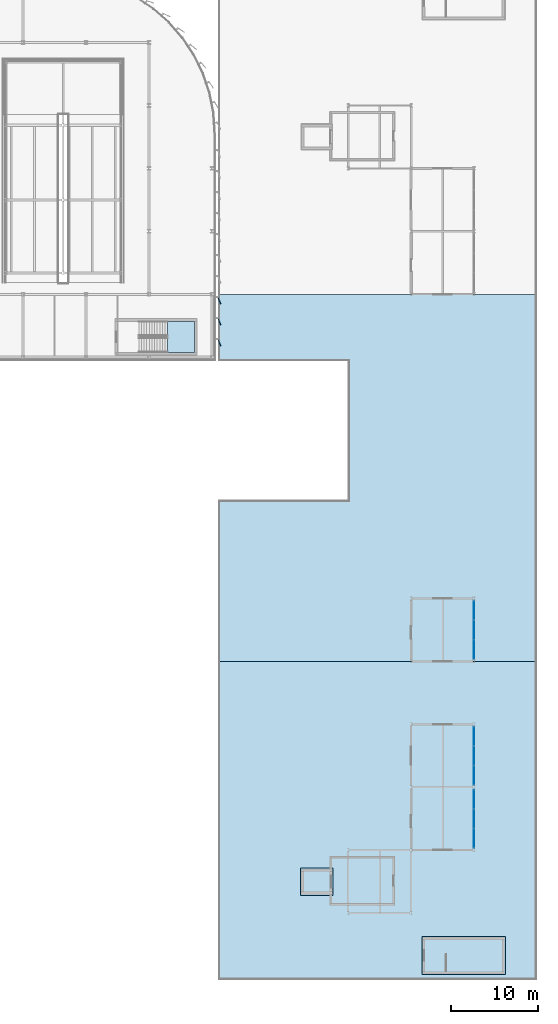
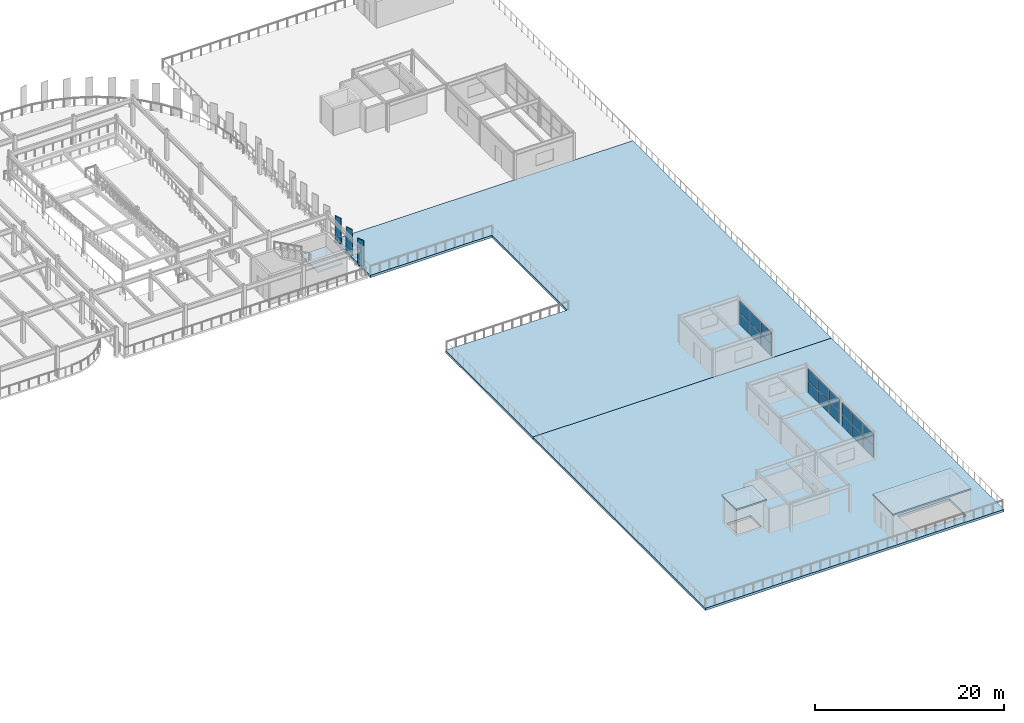
# One storey, part 30 of 52: 21 plates, 5 slabs, 4 elements without a shape of their own.
"""IFC4 building model written with IfcOpenShell, lengths in metres."""

from ifc_helpers import new_model, si_unit, direction, frame, origin, origin_2d, place, context, subcontext, project, spatial, polyline, rectangle, outline, extrude, material, layer, layer_set, type_object, element, aggregate, save


model = new_model("IFC4")

# Units and contexts
model_context = context("Model", 3, precision=1e-05, world=origin(), true_north=direction((0.0, 1.0)))
body_context = subcontext(model_context, "Body", "Model", "MODEL_VIEW")
ifc_project = project(units=[si_unit("LENGTHUNIT", "METRE"), si_unit("AREAUNIT", "SQUARE_METRE"), si_unit("VOLUMEUNIT", "CUBIC_METRE"), si_unit("PLANEANGLEUNIT", "RADIAN"), si_unit("MASSUNIT", "GRAM", prefix="KILO")], contexts=[model_context])

# Site, building, storey
site_placement = place(None, origin())
site = spatial("IfcSite", under=ifc_project, at=site_placement, CompositionType="ELEMENT")
building_placement = place(site_placement, origin())
building = spatial("IfcBuilding", under=site, at=building_placement, Name="Vaelcorin Mobility Hub", CompositionType="ELEMENT")
storey_placement = place(building_placement, frame((0.0, 0.0, 13.199951171875)))
storey = spatial("IfcBuildingStorey", under=building, at=storey_placement, Name="L03", CompositionType="ELEMENT", Elevation=13.199951171875)

# Curtain wall, plates
ifc_material_1 = material(Name="Anodised aluminium 6063-T6", Category="aluminium")
curtain_wall_type = type_object("IfcCurtainWallType", Name="CW-MOB-A", PredefinedType="NOTDEFINED", material=ifc_material_1)
curtain_wall_1_placement = place(storey_placement, origin())
curtain_wall_1 = element("IfcCurtainWall", 1, at=curtain_wall_1_placement, inside=storey, type_object=curtain_wall_type, Name="L03 Curtain Wall CW-L03-GPAVS-E-1", PredefinedType="NOTDEFINED")
ifc_material_2 = material(Name="Low-E solar-control insulated glazing", Category="glass")
ifc_layer_1 = layer(ifc_material_2, 0.028076171875)
ifc_layer_set_1 = layer_set([ifc_layer_1], Name="Low-E solar-control insulated glazing")
plate_type_1 = type_object("IfcPlateType", Name="CW-PAN-GLZ28", PredefinedType="CURTAIN_PANEL", material=ifc_layer_set_1)
plate_1_placement = place(storey_placement, frame((182.39990234375, 26.23828125, 0.06005859375), z_axis=(0.0, 0.0, 1.0), x_axis=(0.0, -1.0, 0.0)))
plate_1 = element("IfcPlate", 2, at=plate_1_placement, type_object=plate_type_1, Name="CW7 panel 1.1", PredefinedType="CURTAIN_PANEL", context=body_context, shape_type="SweptSolid", body=[
    extrude(rectangle(XDim=2.163330078125, YDim=0.028076171875, at=origin_2d()), origin(), (0.0, 0.0, 1.0), 1.5048828125),
])
plate_2_placement = place(storey_placement, frame((182.39990234375, 26.23828125, 1.625), z_axis=(0.0, 0.0, 1.0), x_axis=(0.0, -1.0, 0.0)))
plate_2 = element("IfcPlate", 3, at=plate_2_placement, type_object=plate_type_1, Name="CW7 panel 1.2", PredefinedType="CURTAIN_PANEL", context=body_context, shape_type="SweptSolid", body=[
    extrude(rectangle(XDim=2.163330078125, YDim=0.028076171875, at=origin_2d()), origin(), (0.0, 0.0, 1.0), 1.5048828125),
])
plate_3_placement = place(storey_placement, frame((182.39990234375, 24.0, 0.06005859375), z_axis=(0.0, 0.0, 1.0), x_axis=(0.0, -1.0, 0.0)))
plate_3 = element("IfcPlate", 4, at=plate_3_placement, type_object=plate_type_1, Name="CW7 panel 2.1", PredefinedType="CURTAIN_PANEL", context=body_context, shape_type="SweptSolid", body=[
    extrude(rectangle(XDim=2.193359375, YDim=0.028076171875, at=origin_2d()), origin(), (0.0, 0.0, 1.0), 1.5048828125),
])
plate_4_placement = place(storey_placement, frame((182.39990234375, 24.0, 1.625), z_axis=(0.0, 0.0, 1.0), x_axis=(0.0, -1.0, 0.0)))
plate_4 = element("IfcPlate", 5, at=plate_4_placement, type_object=plate_type_1, Name="CW7 panel 2.2", PredefinedType="CURTAIN_PANEL", context=body_context, shape_type="SweptSolid", body=[
    extrude(rectangle(XDim=2.193359375, YDim=0.028076171875, at=origin_2d()), origin(), (0.0, 0.0, 1.0), 1.5048828125),
])
plate_5_placement = place(storey_placement, frame((182.39990234375, 21.76171875, 0.06005859375), z_axis=(0.0, 0.0, 1.0), x_axis=(0.0, -1.0, 0.0)))
plate_5 = element("IfcPlate", 6, at=plate_5_placement, type_object=plate_type_1, Name="CW7 panel 3.1", PredefinedType="CURTAIN_PANEL", context=body_context, shape_type="SweptSolid", body=[
    extrude(rectangle(XDim=2.163330078125, YDim=0.028076171875, at=origin_2d()), origin(), (0.0, 0.0, 1.0), 1.5048828125),
])
plate_6_placement = place(storey_placement, frame((182.39990234375, 21.76171875, 1.625), z_axis=(0.0, 0.0, 1.0), x_axis=(0.0, -1.0, 0.0)))
plate_6 = element("IfcPlate", 7, at=plate_6_placement, type_object=plate_type_1, Name="CW7 panel 3.2", PredefinedType="CURTAIN_PANEL", context=body_context, shape_type="SweptSolid", body=[
    extrude(rectangle(XDim=2.163330078125, YDim=0.028076171875, at=origin_2d()), origin(), (0.0, 0.0, 1.0), 1.5048828125),
])
aggregate(curtain_wall_1, [plate_1, plate_2, plate_3, plate_4, plate_5, plate_6])

curtain_wall_2_placement = place(storey_placement, origin())
curtain_wall_2 = element("IfcCurtainWall", 8, at=curtain_wall_2_placement, inside=storey, type_object=curtain_wall_type, Name="L03 Curtain Wall CW-L03-GPAVS-E-2", PredefinedType="NOTDEFINED")
plate_7_placement = place(storey_placement, frame((182.39990234375, 33.438232421875, 0.06005859375), z_axis=(0.0, 0.0, 1.0), x_axis=(0.0, -1.0, 0.0)))
plate_7 = element("IfcPlate", 9, at=plate_7_placement, type_object=plate_type_1, Name="CW7 panel 1.1", PredefinedType="CURTAIN_PANEL", context=body_context, shape_type="SweptSolid", body=[
    extrude(rectangle(XDim=2.163330078125, YDim=0.028076171875, at=origin_2d()), origin(), (0.0, 0.0, 1.0), 1.5048828125),
])
plate_8_placement = place(storey_placement, frame((182.39990234375, 33.438232421875, 1.625), z_axis=(0.0, 0.0, 1.0), x_axis=(0.0, -1.0, 0.0)))
plate_8 = element("IfcPlate", 10, at=plate_8_placement, type_object=plate_type_1, Name="CW7 panel 1.2", PredefinedType="CURTAIN_PANEL", context=body_context, shape_type="SweptSolid", body=[
    extrude(rectangle(XDim=2.163330078125, YDim=0.028076171875, at=origin_2d()), origin(), (0.0, 0.0, 1.0), 1.5048828125),
])
plate_9_placement = place(storey_placement, frame((182.39990234375, 31.199951171875, 0.06005859375), z_axis=(0.0, 0.0, 1.0), x_axis=(0.0, -1.0, 0.0)))
plate_9 = element("IfcPlate", 11, at=plate_9_placement, type_object=plate_type_1, Name="CW7 panel 2.1", PredefinedType="CURTAIN_PANEL", context=body_context, shape_type="SweptSolid", body=[
    extrude(rectangle(XDim=2.193359375, YDim=0.028076171875, at=origin_2d()), origin(), (0.0, 0.0, 1.0), 1.5048828125),
])
plate_10_placement = place(storey_placement, frame((182.39990234375, 31.199951171875, 1.625), z_axis=(0.0, 0.0, 1.0), x_axis=(0.0, -1.0, 0.0)))
plate_10 = element("IfcPlate", 12, at=plate_10_placement, type_object=plate_type_1, Name="CW7 panel 2.2", PredefinedType="CURTAIN_PANEL", context=body_context, shape_type="SweptSolid", body=[
    extrude(rectangle(XDim=2.193359375, YDim=0.028076171875, at=origin_2d()), origin(), (0.0, 0.0, 1.0), 1.5048828125),
])
plate_11_placement = place(storey_placement, frame((182.39990234375, 28.961669921875, 0.06005859375), z_axis=(0.0, 0.0, 1.0), x_axis=(0.0, -1.0, 0.0)))
plate_11 = element("IfcPlate", 13, at=plate_11_placement, type_object=plate_type_1, Name="CW7 panel 3.1", PredefinedType="CURTAIN_PANEL", context=body_context, shape_type="SweptSolid", body=[
    extrude(rectangle(XDim=2.163330078125, YDim=0.028076171875, at=origin_2d()), origin(), (0.0, 0.0, 1.0), 1.5048828125),
])
plate_12_placement = place(storey_placement, frame((182.39990234375, 28.961669921875, 1.625), z_axis=(0.0, 0.0, 1.0), x_axis=(0.0, -1.0, 0.0)))
plate_12 = element("IfcPlate", 14, at=plate_12_placement, type_object=plate_type_1, Name="CW7 panel 3.2", PredefinedType="CURTAIN_PANEL", context=body_context, shape_type="SweptSolid", body=[
    extrude(rectangle(XDim=2.163330078125, YDim=0.028076171875, at=origin_2d()), origin(), (0.0, 0.0, 1.0), 1.5048828125),
])
aggregate(curtain_wall_2, [plate_7, plate_8, plate_9, plate_10, plate_11, plate_12])

curtain_wall_3_placement = place(storey_placement, origin())
curtain_wall_3 = element("IfcCurtainWall", 15, at=curtain_wall_3_placement, inside=storey, type_object=curtain_wall_type, Name="L03 Curtain Wall CW-L03-GPAVM-E-1", PredefinedType="NOTDEFINED")
plate_13_placement = place(storey_placement, frame((182.39990234375, 47.83837890625, 0.06005859375), z_axis=(0.0, 0.0, 1.0), x_axis=(0.0, -1.0, 0.0)))
plate_13 = element("IfcPlate", 16, at=plate_13_placement, type_object=plate_type_1, Name="CW7 panel 1.1", PredefinedType="CURTAIN_PANEL", context=body_context, shape_type="SweptSolid", body=[
    extrude(rectangle(XDim=2.163330078125, YDim=0.028076171875, at=origin_2d()), origin(), (0.0, 0.0, 1.0), 1.5048828125),
])
plate_14_placement = place(storey_placement, frame((182.39990234375, 47.83837890625, 1.625), z_axis=(0.0, 0.0, 1.0), x_axis=(0.0, -1.0, 0.0)))
plate_14 = element("IfcPlate", 17, at=plate_14_placement, type_object=plate_type_1, Name="CW7 panel 1.2", PredefinedType="CURTAIN_PANEL", context=body_context, shape_type="SweptSolid", body=[
    extrude(rectangle(XDim=2.163330078125, YDim=0.028076171875, at=origin_2d()), origin(), (0.0, 0.0, 1.0), 1.5048828125),
])
plate_15_placement = place(storey_placement, frame((182.39990234375, 45.60009765625, 0.06005859375), z_axis=(0.0, 0.0, 1.0), x_axis=(0.0, -1.0, 0.0)))
plate_15 = element("IfcPlate", 18, at=plate_15_placement, type_object=plate_type_1, Name="CW7 panel 2.1", PredefinedType="CURTAIN_PANEL", context=body_context, shape_type="SweptSolid", body=[
    extrude(rectangle(XDim=2.193359375, YDim=0.028076171875, at=origin_2d()), origin(), (0.0, 0.0, 1.0), 1.5048828125),
])
plate_16_placement = place(storey_placement, frame((182.39990234375, 45.60009765625, 1.625), z_axis=(0.0, 0.0, 1.0), x_axis=(0.0, -1.0, 0.0)))
plate_16 = element("IfcPlate", 19, at=plate_16_placement, type_object=plate_type_1, Name="CW7 panel 2.2", PredefinedType="CURTAIN_PANEL", context=body_context, shape_type="SweptSolid", body=[
    extrude(rectangle(XDim=2.193359375, YDim=0.028076171875, at=origin_2d()), origin(), (0.0, 0.0, 1.0), 1.5048828125),
])
plate_17_placement = place(storey_placement, frame((182.39990234375, 43.361572265625, 0.06005859375), z_axis=(0.0, 0.0, 1.0), x_axis=(0.0, -1.0, 0.0)))
plate_17 = element("IfcPlate", 20, at=plate_17_placement, type_object=plate_type_1, Name="CW7 panel 3.1", PredefinedType="CURTAIN_PANEL", context=body_context, shape_type="SweptSolid", body=[
    extrude(rectangle(XDim=2.163330078125, YDim=0.028076171875, at=origin_2d()), origin(), (0.0, 0.0, 1.0), 1.5048828125),
])
plate_18_placement = place(storey_placement, frame((182.39990234375, 43.361572265625, 1.625), z_axis=(0.0, 0.0, 1.0), x_axis=(0.0, -1.0, 0.0)))
plate_18 = element("IfcPlate", 21, at=plate_18_placement, type_object=plate_type_1, Name="CW7 panel 3.2", PredefinedType="CURTAIN_PANEL", context=body_context, shape_type="SweptSolid", body=[
    extrude(rectangle(XDim=2.163330078125, YDim=0.028076171875, at=origin_2d()), origin(), (0.0, 0.0, 1.0), 1.5048828125),
])
aggregate(curtain_wall_3, [plate_13, plate_14, plate_15, plate_16, plate_17, plate_18])

# Plates
ifc_material_3 = material(Name="Perforated terracotta-bronze aluminium aerofoil", Category="masonry")
ifc_layer_2 = layer(ifc_material_3, 0.070068359375)
ifc_layer_set_2 = layer_set([ifc_layer_2], Name="Perforated terracotta-bronze aluminium aerofoil")
plate_type_2 = type_object("IfcPlateType", Name="PL-FIN-AF3", PredefinedType="SHEET", material=ifc_layer_set_2)
for number, where, z_axis, x_axis, name in (
    (22, (153.235107421875, 83.301025390625, -0.159912109375), (0.0, 0.0, 1.0), (0.342020143326, -0.939692620786, 0.0), "Rotating Terracotta-Bronze Aerofoil Fin FIN-V2E-L03-E-AF-08"),
    (23, (153.235107421875, 80.90087890625, -0.159912109375), (0.0, 0.0, 1.0), (0.342020143326, -0.939692620786, 0.0), "Rotating Terracotta-Bronze Aerofoil Fin FIN-V2E-L03-E-AF-09"),
    (24, (153.235107421875, 78.5009765625, -0.159912109375), (0.0, 0.0, 1.0), (0.342020143326, -0.939692620786, 0.0), "Rotating Terracotta-Bronze Aerofoil Fin FIN-V2E-L03-E-AF-10"),
):
    element("IfcPlate", number, at=place(storey_placement, frame(where, z_axis=z_axis, x_axis=x_axis)), inside=storey, type_object=plate_type_2, Name=name, PredefinedType="SHEET", context=body_context, shape_type="SweptSolid", body=[
        extrude(rectangle(XDim=0.85009765625, YDim=0.070068359375, at=origin_2d()), origin(), (0.0, 0.0, 1.0), 3.5),
    ])

# Stair, slab
ifc_material_4 = material(Name="Reinforced concrete f'c 45 MPa", Category="concrete")
stair_type = type_object("IfcStairType", Name="STAIR-ST2", PredefinedType="HALF_TURN_STAIR", material=ifc_material_4)
stair_placement = place(storey_placement, origin())
stair = element("IfcStair", 25, at=stair_placement, inside=storey, type_object=stair_type, Name="L03 Protected Exit Stair ST2", PredefinedType="HALF_TURN_STAIR")
ifc_layer_3 = layer(ifc_material_4, 0.199951171875)
ifc_layer_set_3 = layer_set([ifc_layer_3], Name="Reinforced concrete f'c 45 MPa")
slab_type_1 = type_object("IfcSlabType", Name="SLAB-LND-200", PredefinedType="LANDING", material=ifc_layer_set_3)
slab_1_placement = place(storey_placement, frame((0.0, 0.0, 1.75)))
slab_1 = element("IfcSlab", 26, at=slab_1_placement, type_object=slab_type_1, Name="ST2 landing 1", PredefinedType="LANDING", context=body_context, shape_type="SweptSolid", body=[
    extrude(outline(polyline([(147.35009765625, 77.35009765625), (150.39990234375, 77.35009765625), (150.39990234375, 80.909912109375), (147.35009765625, 80.909912109375), (147.35009765625, 77.35009765625)])), origin(), (0.0, 0.0, 1.0), 0.199951171875),
])
aggregate(stair, [slab_1])

# Slabs
ifc_material_5 = material(Name="Concrete f'c 35 MPa", Category="concrete")
ifc_layer_4 = layer(ifc_material_5, 0.199951171875)
ifc_layer_set_4 = layer_set([ifc_layer_4], Name="Concrete f'c 35 MPa")
slab_type_2 = type_object("IfcSlabType", Name="SLAB-RF-V4P", PredefinedType="ROOF", material=ifc_layer_set_4)
slab_2_placement = place(storey_placement, frame((0.0, 0.0, 3.400146484375)))
element("IfcSlab", 27, at=slab_2_placement, inside=storey, type_object=slab_type_2, Name="ST5 Stair Headhouse Roof", PredefinedType="ROOF", context=body_context, shape_type="SweptSolid", body=[
    extrude(outline(polyline([(176.419921875, 6.169921875), (185.97998046875, 6.169921875), (185.97998046875, 10.530029296875), (176.419921875, 10.530029296875), (176.419921875, 6.169921875)])), origin(), (0.0, 0.0, 1.0), 0.199951171875),
])
slab_3_placement = place(storey_placement, frame((0.0, 0.0, 3.400146484375)))
element("IfcSlab", 28, at=slab_3_placement, inside=storey, type_object=slab_type_2, Name="LF5 Lift Shaft Overrun Roof", PredefinedType="ROOF", context=body_context, shape_type="SweptSolid", body=[
    extrude(outline(polyline([(162.544921875, 15.2451171875), (166.2548828125, 15.2451171875), (166.2548828125, 18.35498046875), (162.544921875, 18.35498046875), (162.544921875, 15.2451171875)])), origin(), (0.0, 0.0, 1.0), 0.199951171875),
])
ifc_layer_5 = layer(ifc_material_5, 0.300048828125)
ifc_layer_set_5 = layer_set([ifc_layer_5], Name="Concrete f'c 35 MPa")
slab_type_3 = type_object("IfcSlabType", Name="SLAB-RG3", PredefinedType="FLOOR", material=ifc_layer_set_5)
slab_4_placement = place(storey_placement, frame((0.0, 0.0, -0.300048828125)))
element("IfcSlab", 29, at=slab_4_placement, inside=storey, type_object=slab_type_3, Name="L03 Planted Tropical Roof Garden SL-V5-L03-RG-S", PredefinedType="FLOOR", context=body_context, shape_type="SweptSolid", body=[
    extrude(outline(polyline([(153.14990234375, 5.550048828125), (153.14990234375, 42.0), (189.60009765625, 42.0), (189.60009765625, 5.550048828125), (153.14990234375, 5.550048828125)]), holes=[polyline([(179.2548828125, 10.14990234375), (179.2548828125, 6.550048828125), (185.60009765625, 6.550048828125), (185.60009765625, 10.14990234375), (179.2548828125, 10.14990234375)]), polyline([(165.85009765625, 17.949951171875), (162.949951171875, 17.949951171875), (162.949951171875, 15.64990234375), (165.85009765625, 15.64990234375), (165.85009765625, 17.949951171875)])]), origin(), (0.0, 0.0, 1.0), 0.300048828125),
])
slab_5_placement = place(storey_placement, frame((0.0, 0.0, -0.300048828125)))
element("IfcSlab", 30, at=slab_5_placement, inside=storey, type_object=slab_type_3, Name="L03 Planted Tropical Roof Garden SL-V5-L03-RG-M", PredefinedType="FLOOR", context=body_context, shape_type="SweptSolid", body=[
    extrude(outline(polyline([(153.14990234375, 42.0), (153.14990234375, 60.449951171875), (168.0, 60.449951171875), (168.0, 76.35009765625), (153.14990234375, 76.35009765625), (153.14990234375, 84.0), (189.60009765625, 84.0), (189.60009765625, 42.0), (153.14990234375, 42.0)])), origin(), (0.0, 0.0, 1.0), 0.300048828125),
])

save(model, "model.ifc")
